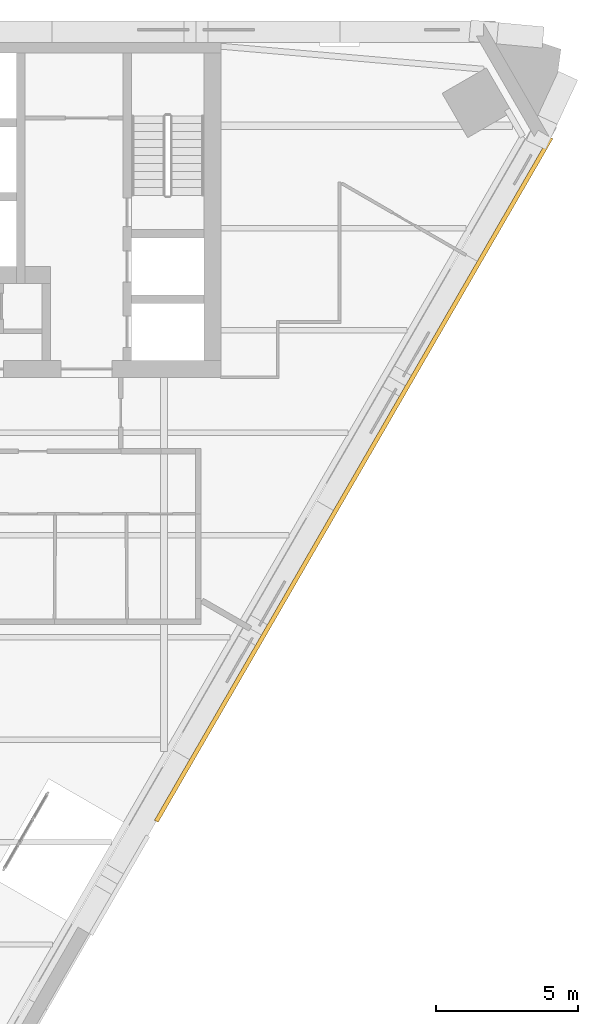
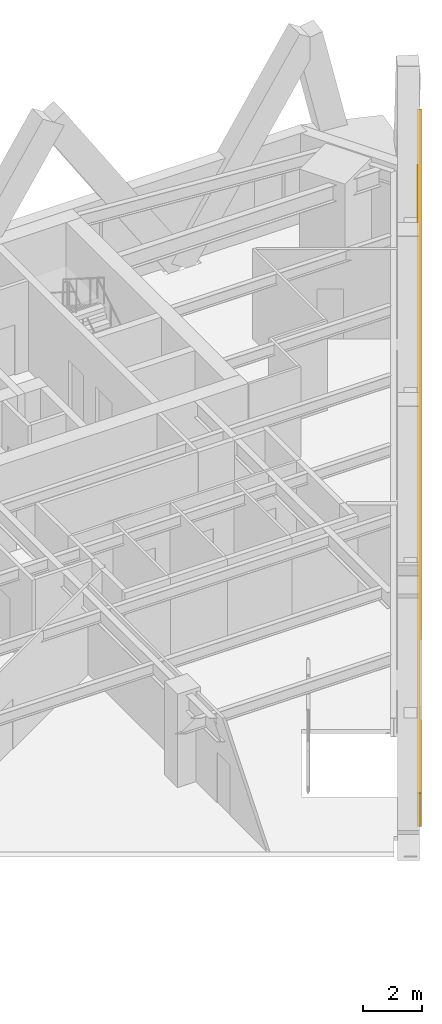
# One storey, part 10 of 11: 1 covering.
"""IFC4 building model written with IfcOpenShell, lengths in metres."""

from ifc_helpers import new_model, si_unit, direction, frame, origin, place, context, subcontext, project, spatial, polyline, outline, extrude, material, layer, layer_set, type_object, element, save


model = new_model("IFC4")

# Units and contexts
model_context = context("Model", 3, precision=1e-05, world=origin(), true_north=direction((0.0, 1.0)))
body_context = subcontext(model_context, "Body", "Model", "MODEL_VIEW")
ifc_project = project(units=[si_unit("LENGTHUNIT", "METRE"), si_unit("AREAUNIT", "SQUARE_METRE"), si_unit("VOLUMEUNIT", "CUBIC_METRE"), si_unit("PLANEANGLEUNIT", "RADIAN"), si_unit("MASSUNIT", "GRAM", prefix="KILO")], contexts=[model_context])

# Site, building, storey
site_placement = place(None, origin())
site = spatial("IfcSite", under=ifc_project, at=site_placement, CompositionType="ELEMENT")
building_placement = place(site_placement, origin())
building = spatial("IfcBuilding", under=site, at=building_placement, Name="Aloe Facet Convention Tower", CompositionType="ELEMENT")
storey_placement = place(building_placement, frame((0.0, 0.0, 167.60009765625)))
storey = spatial("IfcBuildingStorey", under=building, at=storey_placement, Name="L42", CompositionType="ELEMENT", Elevation=167.60009765625)

# Covering
ifc_material = material(Name="Bronze oxide fascia sheet")
ifc_layer = layer(ifc_material, 0.14990234375)
ifc_layer_set = layer_set([ifc_layer], Name="EV-FASCIA-TERR")
covering_type = type_object("IfcCoveringType", Name="EV-FASCIA-TERR", PredefinedType="CLADDING", material=ifc_layer_set)
covering_placement = place(storey_placement, frame((88.790771484375, 106.896484375, -4.4501953125), z_axis=(0.866023484601, -0.500003324108, 0.0), x_axis=(0.475383683942, 0.823381394963, 0.309924880367)))
element("IfcCovering", 1, at=covering_placement, inside=storey, type_object=covering_type, Name="Spiral ribbon zone 3 part 10", PredefinedType="CLADDING", context=body_context, shape_type="SweptSolid", body=[
    extrude(outline(polyline([(0.0, 0.0), (29.202357354032493, 0.0), (29.636297585698312, 1.331204737465086), (0.43394023166581863, 1.3312047374650857), (0.0, 0.0)])), origin(), (0.0, 0.0, -1.0), 0.14990234375),
])

save(model, "model.ifc")
